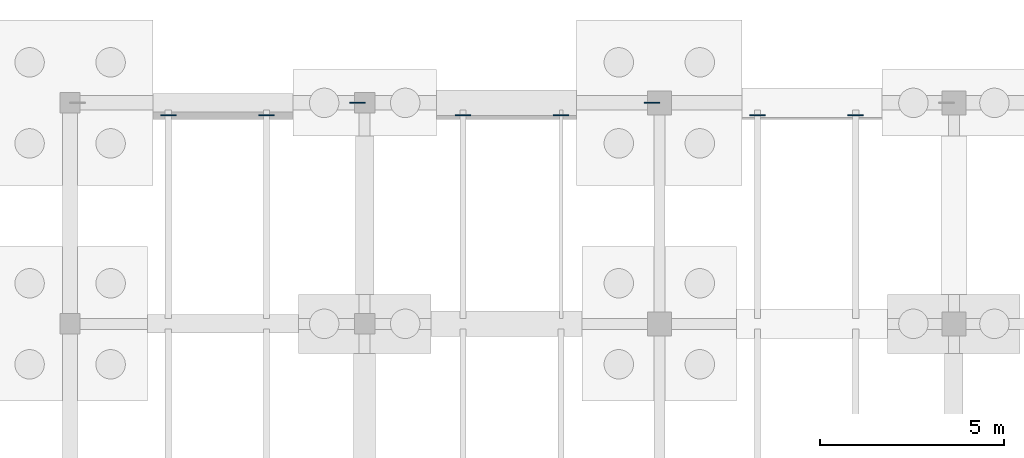
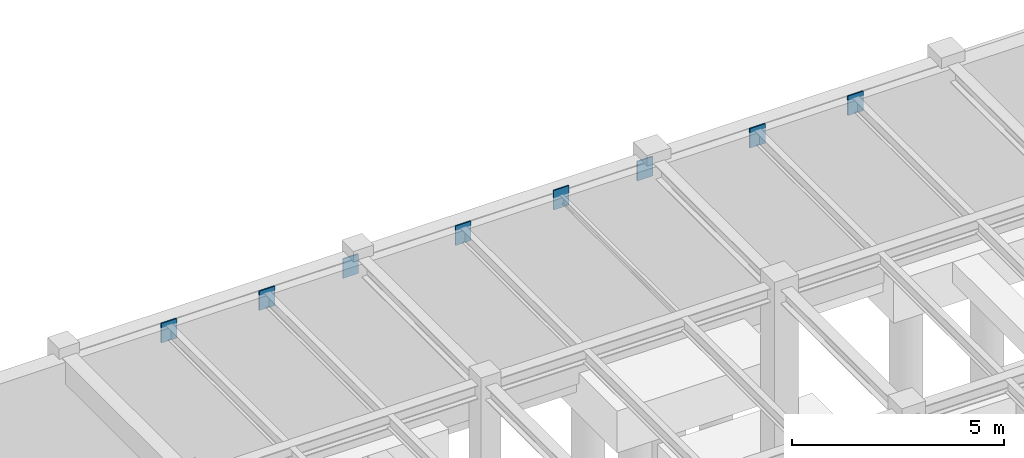
# One storey, part 44 of 71: 8 plates.
"""IFC4 building model written with IfcOpenShell, lengths in metres."""

from ifc_helpers import new_model, si_unit, direction, frame, origin, origin_2d, place, context, subcontext, project, spatial, rectangle, extrude, material, layer, layer_set, type_object, element, save


model = new_model("IFC4")

# Units and contexts
model_context = context("Model", 3, precision=1e-05, world=origin(), true_north=direction((0.0, 1.0)))
body_context = subcontext(model_context, "Body", "Model", "MODEL_VIEW")
ifc_project = project(units=[si_unit("LENGTHUNIT", "METRE"), si_unit("AREAUNIT", "SQUARE_METRE"), si_unit("VOLUMEUNIT", "CUBIC_METRE"), si_unit("PLANEANGLEUNIT", "RADIAN"), si_unit("MASSUNIT", "GRAM", prefix="KILO")], contexts=[model_context])

# Site, building, storey
site_placement = place(None, origin())
site = spatial("IfcSite", under=ifc_project, at=site_placement, CompositionType="ELEMENT")
building_placement = place(site_placement, origin())
building = spatial("IfcBuilding", under=site, at=building_placement, Name="Sundkrona Museum", CompositionType="ELEMENT")
storey_placement = place(building_placement, frame((0.0, 0.0, -5.39990234375)))
storey = spatial("IfcBuildingStorey", under=building, at=storey_placement, Name="B1", CompositionType="ELEMENT", Elevation=-5.39990234375)

# Plates
ifc_material = material(Name="Steel S355J2", Category="steel")
ifc_layer = layer(ifc_material, 0.034912109375)
ifc_layer_set = layer_set([ifc_layer], Name="Steel S355J2")
plate_type = type_object("IfcPlateType", Name="EP-1", PredefinedType="USERDEFINED", material=ifc_layer_set)
for number, where, z_axis, x_axis, name in (
    (1, (111.800048828125, 114.0, 4.514892578125), (0.0, 0.0, 1.0), (1.0, 0.0, 0.0), "Structural Wall Cast-In Embed Plate BM-B1-X-0203-2"),
    (2, (119.800048828125, 114.0, 4.514892578125), (0.0, 0.0, 1.0), (1.0, 0.0, 0.0), "Structural Wall Cast-In Embed Plate BM-B1-X-0204-2"),
    (3, (106.666748046875, 113.664306640625, 4.659912109375), (0.0, 0.0, 1.0), (1.0, 0.0, 0.0), "Structural Wall Cast-In Embed Plate JS-B1-0158-2"),
    (4, (109.333251953125, 113.664306640625, 4.659912109375), (0.0, 0.0, 1.0), (1.0, 0.0, 0.0), "Structural Wall Cast-In Embed Plate JS-B1-0159-2"),
    (5, (114.666748046875, 113.664306640625, 4.659912109375), (0.0, 0.0, 1.0), (1.0, 0.0, 0.0), "Structural Wall Cast-In Embed Plate JS-B1-0174-2"),
    (6, (117.333251953125, 113.664306640625, 4.749755859375), (0.0, 0.0, 1.0), (1.0, 0.0, 0.0), "Structural Wall Cast-In Embed Plate JS-B1-0175-2"),
    (7, (122.666748046875, 113.664306640625, 4.659912109375), (0.0, 0.0, 1.0), (1.0, 0.0, 0.0), "Structural Wall Cast-In Embed Plate JS-B1-0188-2"),
    (8, (125.333251953125, 113.664306640625, 4.659912109375), (0.0, 0.0, 1.0), (1.0, 0.0, 0.0), "Structural Wall Cast-In Embed Plate JS-B1-0189-2"),
):
    element("IfcPlate", number, at=place(storey_placement, frame(where, z_axis=z_axis, x_axis=x_axis)), inside=storey, type_object=plate_type, Name=name, ObjectType="GUSSET PLATE", PredefinedType="USERDEFINED", context=body_context, shape_type="SweptSolid", body=[
        extrude(rectangle(XDim=0.419921875, YDim=0.034912109375, at=origin_2d()), origin(), (0.0, 0.0, 1.0), 0.56005859375),
    ])

save(model, "model.ifc")
